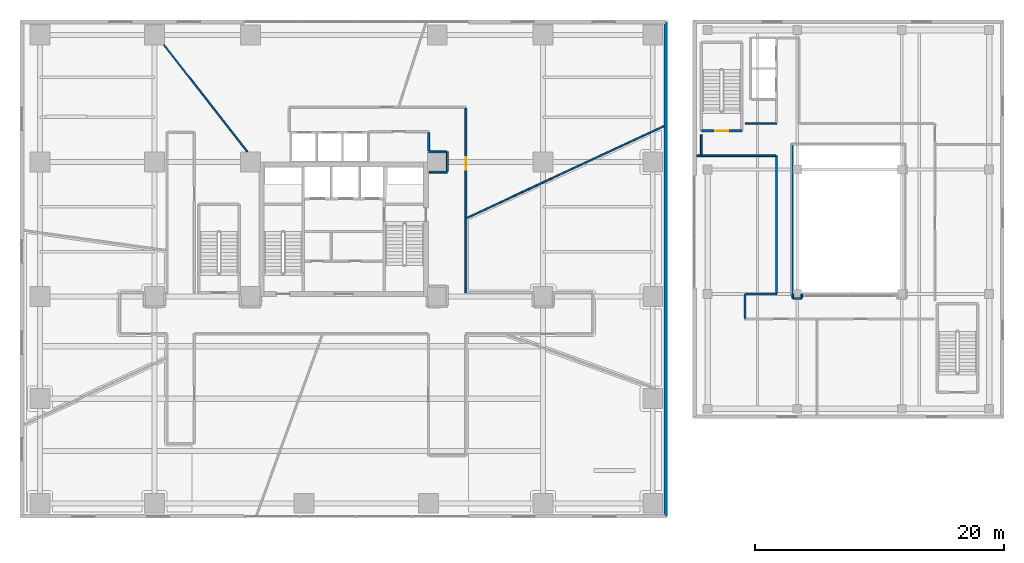
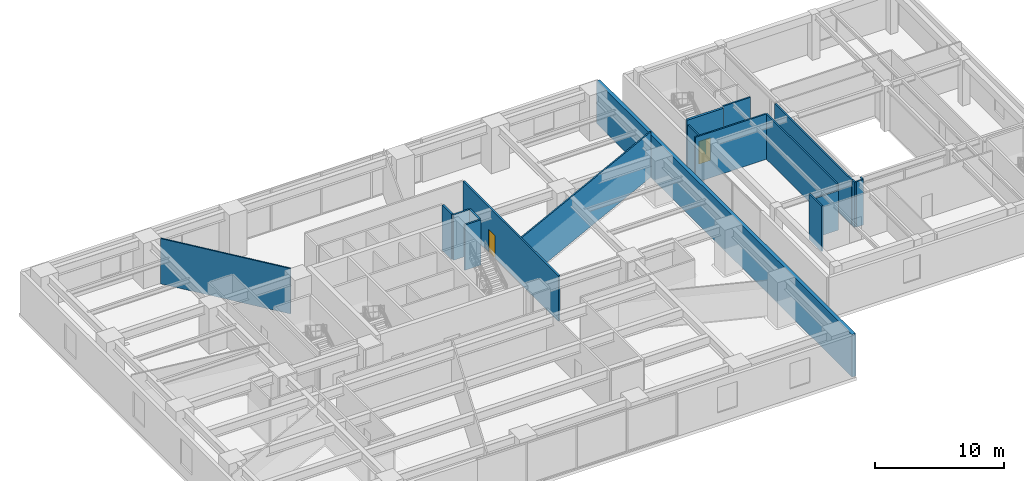
# One storey, part 19 of 25: 19 walls, 2 doors, 2 openings.
"""IFC4 building model written with IfcOpenShell, lengths in metres."""

from ifc_helpers import new_model, si_unit, direction, frame, frame_2d, origin, place, context, subcontext, project, spatial, rectangle, extrude, source, transform, mapped, material, layer, layer_set, type_object, type_shapes, element, fill, save


model = new_model("IFC4")

# Units and contexts
model_context = context("Model", 3, precision=1e-05, world=origin(), true_north=direction((0.0, 1.0)))
body_context = subcontext(model_context, "Body", "Model", "MODEL_VIEW")
ifc_project = project(units=[si_unit("LENGTHUNIT", "METRE"), si_unit("AREAUNIT", "SQUARE_METRE"), si_unit("VOLUMEUNIT", "CUBIC_METRE"), si_unit("PLANEANGLEUNIT", "RADIAN"), si_unit("MASSUNIT", "GRAM", prefix="KILO")], contexts=[model_context])

# Site, building, storey
site_placement = place(None, origin())
site = spatial("IfcSite", under=ifc_project, at=site_placement, CompositionType="ELEMENT")
building_placement = place(site_placement, origin())
building = spatial("IfcBuilding", under=site, at=building_placement, Name="Talar Marvaseh", CompositionType="ELEMENT")
storey_placement = place(building_placement, frame((0.0, 0.0, 5.199951171875)))
storey = spatial("IfcBuildingStorey", under=building, at=storey_placement, Name="L01", CompositionType="ELEMENT", Elevation=5.199951171875)

# Wall
ifc_material_1 = material(Name="Precast concrete C45/55", Category="concrete")
ifc_layer_1 = layer(ifc_material_1, 0.31005859375)
ifc_layer_set_1 = layer_set([ifc_layer_1], Name="Precast concrete C45/55")
wall_type_1 = type_object("IfcWallType", Name="Architectural Precast Limestone Podium Facade Wall 310", PredefinedType="SOLIDWALL", material=ifc_layer_set_1)
wall_1_placement = place(storey_placement, frame((51.840087890625, 47.840087890625, 0.0), z_axis=(0.0, 0.0, 1.0), x_axis=(0.0, -1.0, 0.0)))
element("IfcWall", 1, at=wall_1_placement, inside=storey, type_object=wall_type_1, Name="L01 Podium East Facade Wall", PredefinedType="SOLIDWALL", context=body_context, shape_type="SweptSolid", body=[
    extrude(rectangle(XDim=39.68017578125, YDim=0.31005859375, at=frame_2d((19.840087890625, 0.0))), origin(), (0.0, 0.0, 1.0), 4.050048828125),
])

# Wall, opening, door
ifc_material_2 = material(Name="Gypsum Board Partition Assembly")
ifc_layer_2 = layer(ifc_material_2, 0.155029296875)
ifc_layer_set_2 = layer_set([ifc_layer_2], Name="Gypsum Board Partition Assembly")
wall_type_2 = type_object("IfcWallType", Name="Corridor Fire-Rated Acoustic Partition 155", PredefinedType="PARTITIONING", material=ifc_layer_set_2)
wall_2_placement = place(storey_placement, frame((35.800048828125, 40.91650390625, 0.0), z_axis=(0.0, 0.0, 1.0), x_axis=(0.0, -1.0, 0.0)))
wall_2 = element("IfcWall", 2, at=wall_2_placement, inside=storey, type_object=wall_type_2, Name="L01 Interior Partition Wall", PredefinedType="PARTITIONING", context=body_context, shape_type="SweptSolid", body=[
    extrude(rectangle(XDim=14.79638671875, YDim=0.155029296875, at=frame_2d((7.398193359375, 0.0))), origin(), (0.0, 0.0, 1.0), 4.300048828125),
])
opening_1_placement = place(wall_2_placement, frame((3.951416015625, 0.0, 0.0)))
opening_1 = element("IfcOpeningElement", 3, at=opening_1_placement, cuts=wall_2, Name="Opening DR-RM100", PredefinedType="OPENING", context=body_context, shape_type="SweptSolid", body=[
    extrude(rectangle(XDim=1.0, YDim=2.14990234375, at=frame_2d((0.5, 1.074951171875))), frame((0.0, 0.08740234375, 0.0), z_axis=(0.0, -1.0, 0.0), x_axis=(1.0, 0.0, 0.0)), (0.0, 0.0, 1.0), 0.175048828125),
])
ifc_material_3 = material(Name="Acoustic Engineered Oak Timber", Category="wood")
door_type_1 = type_object("IfcDoorType", Name="Corridor Fire-Rated Gallery Door 1000x2150", OperationType="NOTDEFINED", PredefinedType="DOOR", material=ifc_material_3)
shared_shape_1 = source(origin(), body_context, "Body", "SweptSolid", [
    extrude(rectangle(XDim=1.0, YDim=2.14990234375, at=frame_2d((0.5, 1.074951171875))), frame((0.0, 0.02490234375, 0.0), z_axis=(0.0, -1.0, 0.0), x_axis=(1.0, 0.0, 0.0)), (0.0, 0.0, 1.0), 0.050048828125),
])
type_shapes(door_type_1, [shared_shape_1])
door_1_placement = place(opening_1_placement, origin())
door_1 = element("IfcDoor", 4, at=door_1_placement, inside=storey, type_object=door_type_1, Name="L01 Visitor Services Office Door", OperationType="SINGLE_SWING_RIGHT", OverallHeight=2.14990234375, OverallWidth=1.0, PredefinedType="DOOR", context=body_context, shape_type="MappedRepresentation", body=[
    mapped(shared_shape_1, transform((0.0, 0.0, 0.0), x_axis=(1.0, 0.0, 0.0), y_axis=(0.0, 1.0, 0.0), z_axis=(0.0, 0.0, 1.0), scale=1.0)),
])
fill(opening_1, door_1)

# Walls
wall_3_placement = place(storey_placement, frame((32.8701171875, 35.78515625, 0.0), z_axis=(0.0, 0.0, 1.0), x_axis=(0.99999584892, 0.002881343971, 0.0)))
element("IfcWall", 5, at=wall_3_placement, inside=storey, type_object=wall_type_2, Name="L01 Interior Partition Wall", PredefinedType="PARTITIONING", context=body_context, shape_type="SweptSolid", body=[
    extrude(rectangle(XDim=1.4404296875, YDim=0.155029296875, at=frame_2d((0.72021484375, 0.0))), origin(), (0.0, 0.0, 1.0), 4.300048828125),
])
wall_4_placement = place(storey_placement, frame((34.310791015625, 35.872802734375, 0.0), z_axis=(0.0, 0.0, 1.0), x_axis=(0.000476644369, 0.999999886405, 0.0)))
element("IfcWall", 6, at=wall_4_placement, inside=storey, type_object=wall_type_2, Name="L01 Interior Partition Wall", PredefinedType="PARTITIONING", context=body_context, shape_type="SweptSolid", body=[
    extrude(rectangle(XDim=1.53662109375, YDim=0.155029296875, at=frame_2d((0.768310546875, 0.0))), origin(), (0.0, 0.0, 1.0), 4.300048828125),
])
wall_5_placement = place(storey_placement, frame((34.22802734375, 37.409912109375, 0.0), z_axis=(0.0, 0.0, 1.0), x_axis=(-0.999993554729, 0.003590334185, 0.0)))
element("IfcWall", 7, at=wall_5_placement, inside=storey, type_object=wall_type_2, Name="L01 Interior Partition Wall", PredefinedType="PARTITIONING", context=body_context, shape_type="SweptSolid", body=[
    extrude(rectangle(XDim=1.427978515625, YDim=0.155029296875, at=frame_2d((0.7138671875, 0.0))), origin(), (0.0, 0.0, 1.0), 4.300048828125),
])
wall_6_placement = place(storey_placement, frame((32.800048828125, 37.49853515625, 0.0), z_axis=(0.0, 0.0, 1.0), x_axis=(0.0, 1.0, 0.0)))
element("IfcWall", 8, at=wall_6_placement, inside=storey, type_object=wall_type_2, Name="L01 Interior Partition Wall", PredefinedType="PARTITIONING", context=body_context, shape_type="SweptSolid", body=[
    extrude(rectangle(XDim=1.4580078125, YDim=0.155029296875, at=frame_2d((0.72900390625, 0.0))), origin(), (0.0, 0.0, 1.0), 4.300048828125),
])
ifc_layer_3 = layer(ifc_material_2, 0.1201171875)
ifc_layer_set_3 = layer_set([ifc_layer_3], Name="Gypsum Board Partition Assembly")
wall_type_3 = type_object("IfcWallType", Name="Demountable Studio Room Partition 120", PredefinedType="PARTITIONING", material=ifc_layer_set_3)
wall_7_placement = place(storey_placement, frame((35.883544921875, 32.10888671875, 0.0), z_axis=(0.0, 0.0, 1.0), x_axis=(0.90629790364, 0.422639456106, 0.0)))
element("IfcWall", 9, at=wall_7_placement, inside=storey, type_object=wall_type_3, Name="L01 Interior Partition Wall", PredefinedType="PARTITIONING", context=body_context, shape_type="SweptSolid", body=[
    extrude(rectangle(XDim=17.440673828125, YDim=0.1201171875, at=frame_2d((8.72021484375, 0.0))), origin(), (0.0, 0.0, 1.0), 4.300048828125),
])
wall_8_placement = place(storey_placement, frame((18.25, 37.419921875, 0.0), z_axis=(0.0, 0.0, 1.0), x_axis=(-0.615334161376, 0.788266369855, 0.0)))
element("IfcWall", 10, at=wall_8_placement, inside=storey, type_object=wall_type_3, Name="L01 Interior Partition Wall", PredefinedType="PARTITIONING", context=body_context, shape_type="SweptSolid", body=[
    extrude(rectangle(XDim=10.8720703125, YDim=0.1201171875, at=frame_2d((5.43603515625, 0.0))), origin(), (0.0, 0.0, 1.0), 4.300048828125),
])
ifc_layer_4 = layer(ifc_material_2, 0.135009765625)
ifc_layer_set_4 = layer_set([ifc_layer_4], Name="Gypsum Board Partition Assembly")
wall_type_4 = type_object("IfcWallType", Name="Gallery High-Acoustic Partition 135", PredefinedType="PARTITIONING", material=ifc_layer_set_4)
wall_9_placement = place(storey_placement, frame((58.219970703125, 39.679931640625, 0.0), z_axis=(0.0, 0.0, 1.0), x_axis=(1.0, 0.0, 0.0)))
element("IfcWall", 11, at=wall_9_placement, inside=storey, type_object=wall_type_4, Name="L01 Interior Partition Wall", PredefinedType="PARTITIONING", context=body_context, shape_type="SweptSolid", body=[
    extrude(rectangle(XDim=2.52001953125, YDim=0.135009765625, at=frame_2d((1.260009765625, 0.0))), origin(), (0.0, 0.0, 1.0), 4.300048828125),
])
wall_10_placement = place(storey_placement, frame((58.199951171875, 24.073486328125, 0.0), z_axis=(0.0, 0.0, 1.0), x_axis=(0.0, 1.0, 0.0)))
element("IfcWall", 12, at=wall_10_placement, inside=storey, type_object=wall_type_4, Name="L01 Interior Partition Wall", PredefinedType="PARTITIONING", context=body_context, shape_type="SweptSolid", body=[
    extrude(rectangle(XDim=1.926513671875, YDim=0.135009765625, at=frame_2d((0.96337890625, 0.0))), origin(), (0.0, 0.0, 1.0), 4.300048828125),
])
wall_11_placement = place(storey_placement, frame((58.2734375, 26.0, 0.0), z_axis=(0.0, 0.0, 1.0), x_axis=(1.0, 0.0, 0.0)))
element("IfcWall", 13, at=wall_11_placement, inside=storey, type_object=wall_type_4, Name="L01 Interior Partition Wall", PredefinedType="PARTITIONING", context=body_context, shape_type="SweptSolid", body=[
    extrude(rectangle(XDim=2.466552734375, YDim=0.135009765625, at=frame_2d((1.2333984375, 0.0))), origin(), (0.0, 0.0, 1.0), 3.73095703125),
])
wall_12_placement = place(storey_placement, frame((60.739990234375, 26.073486328125, 0.0), z_axis=(0.0, 0.0, 1.0), x_axis=(0.0, 1.0, 0.0)))
element("IfcWall", 14, at=wall_12_placement, inside=storey, type_object=wall_type_4, Name="L01 Interior Partition Wall", PredefinedType="PARTITIONING", context=body_context, shape_type="SweptSolid", body=[
    extrude(rectangle(XDim=11.026611328125, YDim=0.135009765625, at=frame_2d((5.51318359375, 0.0))), origin(), (0.0, 0.0, 1.0), 4.300048828125),
])
wall_13_placement = place(storey_placement, frame((60.66650390625, 37.10009765625, 0.0), z_axis=(0.0, 0.0, 1.0), x_axis=(-1.0, 0.0, 0.0)))
element("IfcWall", 15, at=wall_13_placement, inside=storey, type_object=wall_type_4, Name="L01 Interior Partition Wall", PredefinedType="PARTITIONING", context=body_context, shape_type="SweptSolid", body=[
    extrude(rectangle(XDim=6.33642578125, YDim=0.135009765625, at=frame_2d((3.168212890625, 0.0))), origin(), (0.0, 0.0, 1.0), 4.300048828125),
])
wall_14_placement = place(storey_placement, frame((54.699951171875, 37.173583984375, 0.0), z_axis=(0.0, 0.0, 1.0), x_axis=(0.0, 1.0, 0.0)))
element("IfcWall", 16, at=wall_14_placement, inside=storey, type_object=wall_type_4, Name="L01 Interior Partition Wall", PredefinedType="PARTITIONING", context=body_context, shape_type="SweptSolid", body=[
    extrude(rectangle(XDim=1.6064453125, YDim=0.135009765625, at=frame_2d((0.80322265625, 0.0))), origin(), (0.0, 0.0, 1.0), 4.300048828125),
])
wall_15_placement = place(storey_placement, frame((62.034912109375, 26.0, 0.0), z_axis=(0.0, 0.0, 1.0), x_axis=(0.041435954546, -0.999141162034, 0.0)))
element("IfcWall", 17, at=wall_15_placement, inside=storey, type_object=wall_type_4, Name="L01 Interior Partition Wall", PredefinedType="PARTITIONING", context=body_context, shape_type="SweptSolid", body=[
    extrude(rectangle(XDim=0.365234375, YDim=0.135009765625, at=frame_2d((0.1826171875, 0.0))), origin(), (0.0, 0.0, 1.0), 4.300048828125),
])
wall_16_placement = place(storey_placement, frame((62.12353515625, 25.63525390625, 0.0), z_axis=(0.0, 0.0, 1.0), x_axis=(0.999997327018, 0.002312132548, 0.0)))
element("IfcWall", 18, at=wall_16_placement, inside=storey, type_object=wall_type_4, Name="L01 Interior Partition Wall", PredefinedType="PARTITIONING", context=body_context, shape_type="SweptSolid", body=[
    extrude(rectangle(XDim=0.633544921875, YDim=0.135009765625, at=frame_2d((0.31689453125, 0.0))), origin(), (0.0, 0.0, 1.0), 4.300048828125),
])
wall_17_placement = place(storey_placement, frame((62.7587890625, 25.710205078125, 0.0), z_axis=(0.0, 0.0, 1.0), x_axis=(0.021056829831, 0.999778280379, 0.0)))
element("IfcWall", 19, at=wall_17_placement, inside=storey, type_object=wall_type_4, Name="L01 Interior Partition Wall", PredefinedType="PARTITIONING", context=body_context, shape_type="SweptSolid", body=[
    extrude(rectangle(XDim=0.289794921875, YDim=0.135009765625, at=frame_2d((0.14501953125, 0.0))), origin(), (0.0, 0.0, 1.0), 4.300048828125),
])
wall_18_placement = place(storey_placement, frame((62.0, 37.926513671875, 0.0), z_axis=(0.0, 0.0, 1.0), x_axis=(0.0, -1.0, 0.0)))
element("IfcWall", 20, at=wall_18_placement, inside=storey, type_object=wall_type_4, Name="L01 Interior Partition Wall", PredefinedType="PARTITIONING", context=body_context, shape_type="SweptSolid", body=[
    extrude(rectangle(XDim=11.926513671875, YDim=0.135009765625, at=frame_2d((5.96337890625, 0.0))), origin(), (0.0, 0.0, 1.0), 4.300048828125),
])

# Wall, opening, door
ifc_material_4 = material(Name="Concrete C50/60", Category="concrete")
ifc_layer_5 = layer(ifc_material_4, 0.199951171875)
ifc_layer_set_5 = layer_set([ifc_layer_5], Name="Concrete C50/60")
wall_type_5 = type_object("IfcWallType", Name="Stair Shaft Structural Concrete Shear Wall 200", PredefinedType="SHEAR", material=ifc_layer_set_5)
wall_19_placement = place(storey_placement, frame((57.9599609375, 39.10009765625, 0.0), z_axis=(0.0, 0.0, 1.0), x_axis=(-1.0, 0.0, 0.0)))
wall_19 = element("IfcWall", 21, at=wall_19_placement, inside=storey, type_object=wall_type_5, Name="L01 MH-ST1 South Shear Wall", PredefinedType="SHEAR", context=body_context, shape_type="SweptSolid", body=[
    extrude(rectangle(XDim=3.260009765625, YDim=0.199951171875, at=frame_2d((1.6298828125, 0.0))), origin(), (0.0, 0.0, 1.0), 4.60009765625),
])
opening_2_placement = place(wall_19_placement, frame((1.10009765625, 0.0, 0.0)))
opening_2 = element("IfcOpeningElement", 22, at=opening_2_placement, cuts=wall_19, Name="Opening DR-ST105", PredefinedType="OPENING", context=body_context, shape_type="SweptSolid", body=[
    extrude(rectangle(XDim=1.050048828125, YDim=2.14990234375, at=frame_2d((0.52490234375, 1.074951171875))), frame((0.0, 0.10986328125, 0.0), z_axis=(0.0, -1.0, 0.0), x_axis=(1.0, 0.0, 0.0)), (0.0, 0.0, 1.0), 0.219970703125),
])
ifc_material_5 = material(Name="Fire-Rated Steel Door Leaf", Category="steel")
door_type_2 = type_object("IfcDoorType", Name="Protected Exit Stair Fire Door 1050x2150", OperationType="NOTDEFINED", PredefinedType="DOOR", material=ifc_material_5)
shared_shape_2 = source(origin(), body_context, "Body", "SweptSolid", [
    extrude(rectangle(XDim=1.050048828125, YDim=2.14990234375, at=frame_2d((0.52490234375, 1.074951171875))), frame((0.0, 0.02490234375, 0.0), z_axis=(0.0, -1.0, 0.0), x_axis=(1.0, 0.0, 0.0)), (0.0, 0.0, 1.0), 0.050048828125),
])
type_shapes(door_type_2, [shared_shape_2])
door_2_placement = place(opening_2_placement, origin())
door_2 = element("IfcDoor", 23, at=door_2_placement, inside=storey, type_object=door_type_2, Name="L01 MH-ST1 Exit Door", OperationType="SINGLE_SWING_LEFT", OverallHeight=2.14990234375, OverallWidth=1.050048828125, PredefinedType="DOOR", context=body_context, shape_type="MappedRepresentation", body=[
    mapped(shared_shape_2, transform((0.0, 0.0, 0.0), x_axis=(1.0, 0.0, 0.0), y_axis=(0.0, 1.0, 0.0), z_axis=(0.0, 0.0, 1.0), scale=1.0)),
])
fill(opening_2, door_2)

save(model, "model.ifc")
